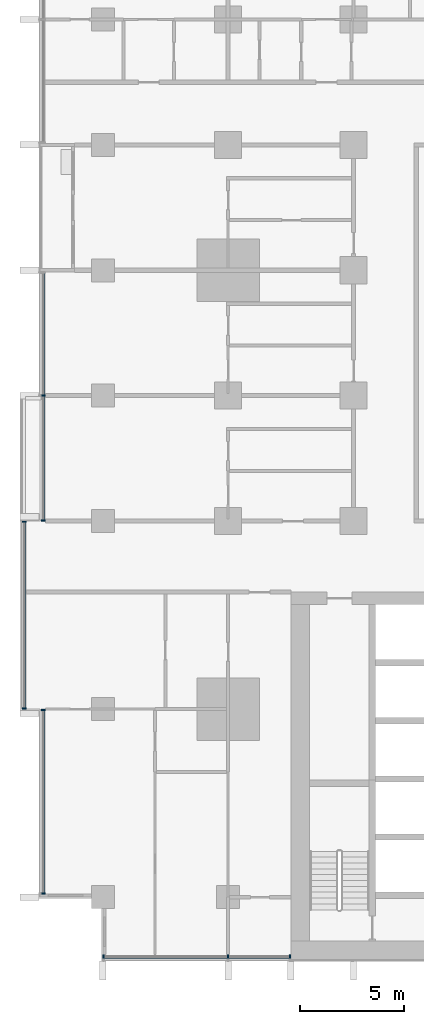
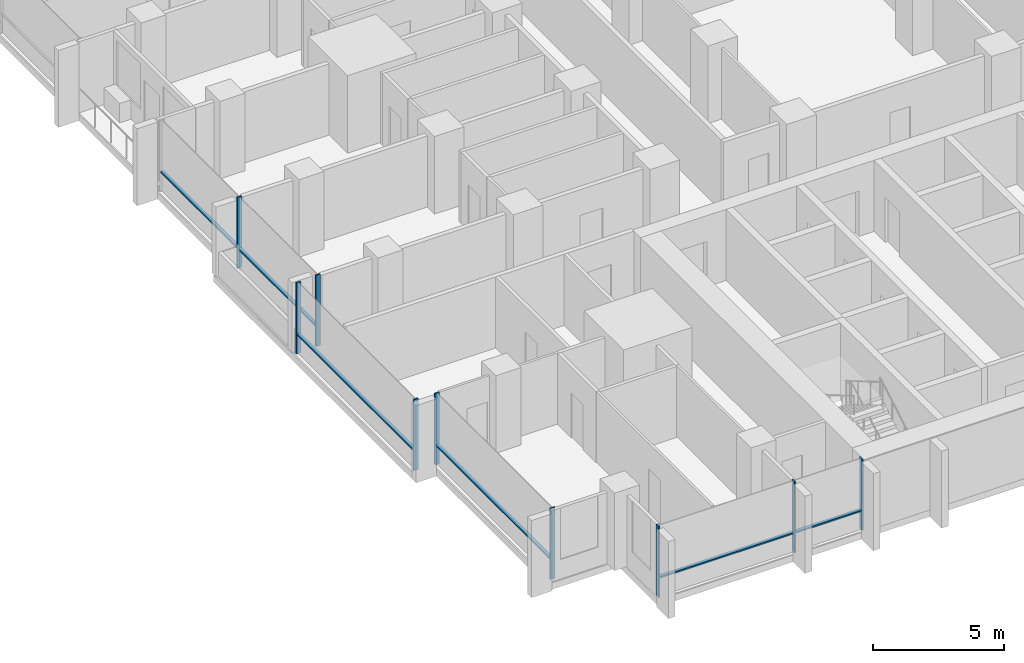
# One storey, part 2 of 17: 15 members, 4 elements without a shape of their own.
"""IFC4 building model written with IfcOpenShell, lengths in metres."""

from ifc_helpers import new_model, si_unit, direction, frame, origin, origin_2d, place, context, subcontext, project, spatial, rectangle, extrude, material, material_profile, profile_set, type_object, element, aggregate, save


model = new_model("IFC4")

# Units and contexts
model_context = context("Model", 3, precision=1e-05, world=origin(), true_north=direction((0.0, 1.0)))
body_context = subcontext(model_context, "Body", "Model", "MODEL_VIEW")
ifc_project = project(units=[si_unit("LENGTHUNIT", "METRE"), si_unit("AREAUNIT", "SQUARE_METRE"), si_unit("VOLUMEUNIT", "CUBIC_METRE"), si_unit("PLANEANGLEUNIT", "RADIAN"), si_unit("MASSUNIT", "GRAM", prefix="KILO")], contexts=[model_context])

# Site, building, storey
site_placement = place(None, origin())
site = spatial("IfcSite", under=ifc_project, at=site_placement, CompositionType="ELEMENT")
building_placement = place(site_placement, origin())
building = spatial("IfcBuilding", under=site, at=building_placement, Name="Finial Court Residences", CompositionType="ELEMENT")
storey_placement = place(building_placement, frame((0.0, 0.0, 61.300048828125)))
storey = spatial("IfcBuildingStorey", under=building, at=storey_placement, Name="L14", CompositionType="ELEMENT", Elevation=61.300048828125)

# Curtain wall, members
ifc_material = material(Name="Bronze anodised aluminium", Category="aluminium")
curtain_wall_type = type_object("IfcCurtainWallType", Name="Unitised curtain wall, lower and middle zones", PredefinedType="NOTDEFINED", material=ifc_material)
curtain_wall_1_placement = place(storey_placement, origin())
curtain_wall_1 = element("IfcCurtainWall", 1, at=curtain_wall_1_placement, inside=storey, type_object=curtain_wall_type, Name="E-L14-CW-S8", PredefinedType="NOTDEFINED")
ifc_material_profile_1 = material_profile(ifc_material, rectangle(XDim=0.199951171875, YDim=0.06494140625, at=origin_2d()), Name="CW1 mullion 65 x 200")
ifc_profile_set_1 = profile_set([ifc_material_profile_1], Name="Bronze anodised aluminium")
member_type_1 = type_object("IfcMemberType", Name="CW1 mullion 65 x 200", PredefinedType="MULLION", material=ifc_profile_set_1)
member_1_placement = place(storey_placement, frame((-22.467529296875, -25.35009765625, 0.0), z_axis=(0.0, 0.0, 1.0), x_axis=(0.0, 1.0, 0.0)))
member_1 = element("IfcMember", 2, at=member_1_placement, type_object=member_type_1, Name="CW1 mullion 1", PredefinedType="MULLION", context=body_context, shape_type="SweptSolid", body=[
    extrude(rectangle(XDim=0.199951171875, YDim=0.06494140625, at=origin_2d()), origin(), (0.0, 0.0, 1.0), 3.300048828125),
])
member_2_placement = place(storey_placement, frame((-16.5, -25.35009765625, 0.0), z_axis=(0.0, 0.0, 1.0), x_axis=(0.0, 1.0, 0.0)))
member_2 = element("IfcMember", 3, at=member_2_placement, type_object=member_type_1, Name="CW1 mullion 2", PredefinedType="MULLION", context=body_context, shape_type="SweptSolid", body=[
    extrude(rectangle(XDim=0.199951171875, YDim=0.06494140625, at=origin_2d()), origin(), (0.0, 0.0, 1.0), 3.300048828125),
])
member_3_placement = place(storey_placement, frame((-13.532470703125, -25.35009765625, 0.0), z_axis=(0.0, 0.0, 1.0), x_axis=(0.0, 1.0, 0.0)))
member_3 = element("IfcMember", 4, at=member_3_placement, type_object=member_type_1, Name="CW1 mullion 3", PredefinedType="MULLION", context=body_context, shape_type="SweptSolid", body=[
    extrude(rectangle(XDim=0.199951171875, YDim=0.06494140625, at=origin_2d()), origin(), (0.0, 0.0, 1.0), 3.300048828125),
])

curtain_wall_2_placement = place(storey_placement, origin())
curtain_wall_2 = element("IfcCurtainWall", 5, at=curtain_wall_2_placement, inside=storey, type_object=curtain_wall_type, Name="E-L14-CW-W10", PredefinedType="NOTDEFINED")
member_4_placement = place(storey_placement, frame((-25.35009765625, -22.3173828125, 0.0), z_axis=(0.0, 0.0, 1.0), x_axis=(-1.0, 0.0, 0.0)))
member_4 = element("IfcMember", 6, at=member_4_placement, type_object=member_type_1, Name="CW1 mullion 1", PredefinedType="MULLION", context=body_context, shape_type="SweptSolid", body=[
    extrude(rectangle(XDim=0.199951171875, YDim=0.06494140625, at=origin_2d()), origin(), (0.0, 0.0, 1.0), 3.300048828125),
])
member_5_placement = place(storey_placement, frame((-25.35009765625, -13.532470703125, 0.0), z_axis=(0.0, 0.0, 1.0), x_axis=(-1.0, 0.0, 0.0)))
member_5 = element("IfcMember", 7, at=member_5_placement, type_object=member_type_1, Name="CW1 mullion 2", PredefinedType="MULLION", context=body_context, shape_type="SweptSolid", body=[
    extrude(rectangle(XDim=0.199951171875, YDim=0.06494140625, at=origin_2d()), origin(), (0.0, 0.0, 1.0), 3.300048828125),
])

curtain_wall_3_placement = place(storey_placement, origin())
curtain_wall_3 = element("IfcCurtainWall", 8, at=curtain_wall_3_placement, inside=storey, type_object=curtain_wall_type, Name="E-L14-CW-W11", PredefinedType="NOTDEFINED")
member_6_placement = place(storey_placement, frame((-26.25, -13.467529296875, 0.0), z_axis=(0.0, 0.0, 1.0), x_axis=(-1.0, 0.0, 0.0)))
member_6 = element("IfcMember", 9, at=member_6_placement, type_object=member_type_1, Name="CW1 mullion 1", PredefinedType="MULLION", context=body_context, shape_type="SweptSolid", body=[
    extrude(rectangle(XDim=0.199951171875, YDim=0.06494140625, at=origin_2d()), origin(), (0.0, 0.0, 1.0), 3.300048828125),
])
member_7_placement = place(storey_placement, frame((-26.25, -4.532470703125, 0.0), z_axis=(0.0, 0.0, 1.0), x_axis=(-1.0, 0.0, 0.0)))
member_7 = element("IfcMember", 10, at=member_7_placement, type_object=member_type_1, Name="CW1 mullion 2", PredefinedType="MULLION", context=body_context, shape_type="SweptSolid", body=[
    extrude(rectangle(XDim=0.199951171875, YDim=0.06494140625, at=origin_2d()), origin(), (0.0, 0.0, 1.0), 3.300048828125),
])

curtain_wall_4_placement = place(storey_placement, origin())
curtain_wall_4 = element("IfcCurtainWall", 11, at=curtain_wall_4_placement, inside=storey, type_object=curtain_wall_type, Name="E-L14-CW-W12", PredefinedType="NOTDEFINED")
member_8_placement = place(storey_placement, frame((-25.35009765625, -4.467529296875, 0.0), z_axis=(0.0, 0.0, 1.0), x_axis=(-1.0, 0.0, 0.0)))
member_8 = element("IfcMember", 12, at=member_8_placement, type_object=member_type_1, Name="CW1 mullion 1", PredefinedType="MULLION", context=body_context, shape_type="SweptSolid", body=[
    extrude(rectangle(XDim=0.199951171875, YDim=0.06494140625, at=origin_2d()), origin(), (0.0, 0.0, 1.0), 3.300048828125),
])
member_9_placement = place(storey_placement, frame((-25.35009765625, 1.5, 0.0), z_axis=(0.0, 0.0, 1.0), x_axis=(-1.0, 0.0, 0.0)))
member_9 = element("IfcMember", 13, at=member_9_placement, type_object=member_type_1, Name="CW1 mullion 2", PredefinedType="MULLION", context=body_context, shape_type="SweptSolid", body=[
    extrude(rectangle(XDim=0.199951171875, YDim=0.06494140625, at=origin_2d()), origin(), (0.0, 0.0, 1.0), 3.300048828125),
])

# Member
ifc_material_profile_2 = material_profile(ifc_material, rectangle(XDim=0.14990234375, YDim=0.06494140625, at=origin_2d()), Name="CW1 transom 65 x 150")
ifc_profile_set_2 = profile_set([ifc_material_profile_2], Name="Bronze anodised aluminium")
member_type_2 = type_object("IfcMemberType", Name="CW1 transom 65 x 150", PredefinedType="USERDEFINED", material=ifc_profile_set_2)
member_10_placement = place(storey_placement, frame((-22.43505859375, -25.35009765625, 0.89990234375), z_axis=(1.0, 0.0, 0.0), x_axis=(0.0, 1.0, 0.0)))
member_10 = element("IfcMember", 14, at=member_10_placement, type_object=member_type_2, Name="CW1 transom 1.1", ObjectType="TRANSOM", PredefinedType="USERDEFINED", context=body_context, shape_type="SweptSolid", body=[
    extrude(rectangle(XDim=0.14990234375, YDim=0.06494140625, at=origin_2d()), origin(), (0.0, 0.0, 1.0), 5.902587890625),
])

member_11_placement = place(storey_placement, frame((-16.467529296875, -25.35009765625, 0.89990234375), z_axis=(1.0, 0.0, 0.0), x_axis=(0.0, 1.0, 0.0)))
member_11 = element("IfcMember", 15, at=member_11_placement, type_object=member_type_2, Name="CW1 transom 2.1", ObjectType="TRANSOM", PredefinedType="USERDEFINED", context=body_context, shape_type="SweptSolid", body=[
    extrude(rectangle(XDim=0.14990234375, YDim=0.06494140625, at=origin_2d()), origin(), (0.0, 0.0, 1.0), 2.902587890625),
])

aggregate(curtain_wall_1, [member_1, member_2, member_3, member_10, member_11])

member_12_placement = place(storey_placement, frame((-25.35009765625, -22.284912109375, 0.89990234375), z_axis=(0.0, 1.0, 0.0), x_axis=(-1.0, 0.0, 0.0)))
member_12 = element("IfcMember", 16, at=member_12_placement, type_object=member_type_2, Name="CW1 transom 1.1", ObjectType="TRANSOM", PredefinedType="USERDEFINED", context=body_context, shape_type="SweptSolid", body=[
    extrude(rectangle(XDim=0.14990234375, YDim=0.06494140625, at=origin_2d()), origin(), (0.0, 0.0, 1.0), 8.719970703125),
])

aggregate(curtain_wall_2, [member_4, member_5, member_12])

member_13_placement = place(storey_placement, frame((-26.25, -13.43505859375, 0.89990234375), z_axis=(0.0, 1.0, 0.0), x_axis=(-1.0, 0.0, 0.0)))
member_13 = element("IfcMember", 17, at=member_13_placement, type_object=member_type_2, Name="CW1 transom 1.1", ObjectType="TRANSOM", PredefinedType="USERDEFINED", context=body_context, shape_type="SweptSolid", body=[
    extrude(rectangle(XDim=0.14990234375, YDim=0.06494140625, at=origin_2d()), origin(), (0.0, 0.0, 1.0), 8.8701171875),
])

aggregate(curtain_wall_3, [member_6, member_7, member_13])

member_14_placement = place(storey_placement, frame((-25.35009765625, -4.43505859375, 0.89990234375), z_axis=(0.0, 1.0, 0.0), x_axis=(-1.0, 0.0, 0.0)))
member_14 = element("IfcMember", 18, at=member_14_placement, type_object=member_type_2, Name="CW1 transom 1.1", ObjectType="TRANSOM", PredefinedType="USERDEFINED", context=body_context, shape_type="SweptSolid", body=[
    extrude(rectangle(XDim=0.14990234375, YDim=0.06494140625, at=origin_2d()), origin(), (0.0, 0.0, 1.0), 5.902587890625),
])

member_15_placement = place(storey_placement, frame((-25.35009765625, 1.532470703125, 0.89990234375), z_axis=(0.0, 1.0, 0.0), x_axis=(-1.0, 0.0, 0.0)))
member_15 = element("IfcMember", 19, at=member_15_placement, type_object=member_type_2, Name="CW1 transom 2.1", ObjectType="TRANSOM", PredefinedType="USERDEFINED", context=body_context, shape_type="SweptSolid", body=[
    extrude(rectangle(XDim=0.14990234375, YDim=0.06494140625, at=origin_2d()), origin(), (0.0, 0.0, 1.0), 5.82763671875),
])

aggregate(curtain_wall_4, [member_8, member_9, member_14, member_15])

save(model, "model.ifc")
